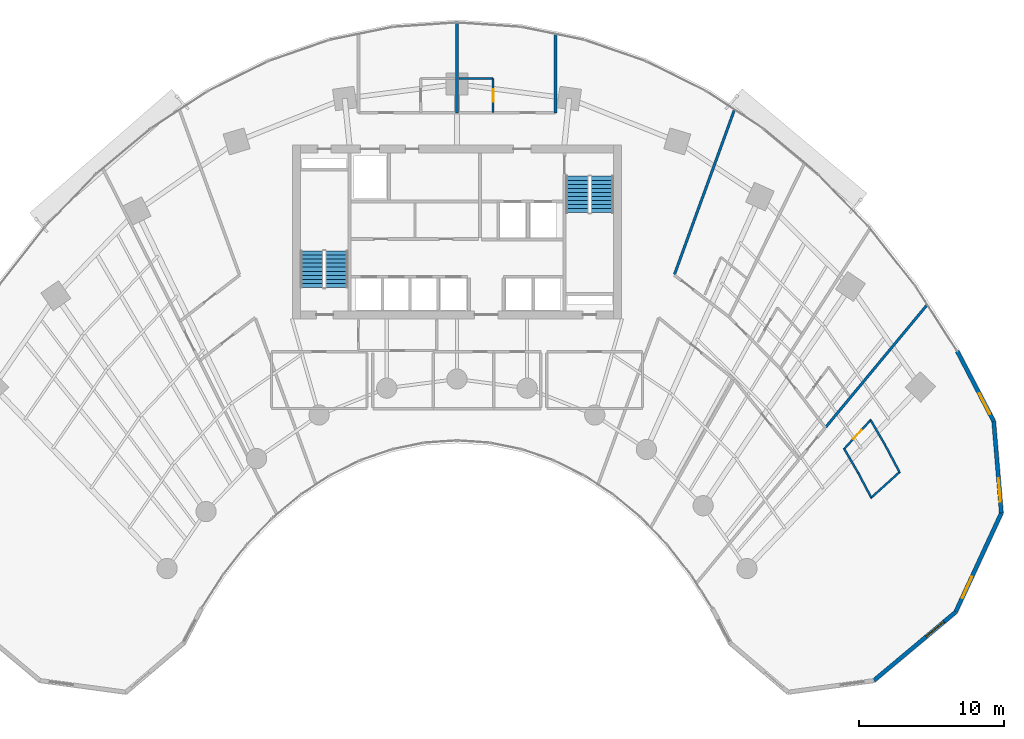
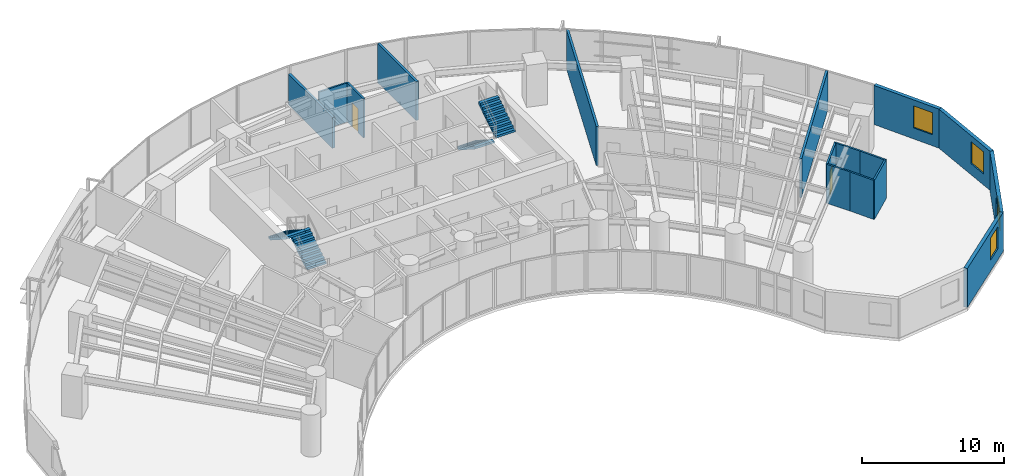
# One storey, part 14 of 17: 16 walls, 4 stair flights, 4 windows, 2 doors, 6 openings, 2 elements without a shape of their own.
"""IFC4 building model written with IfcOpenShell, lengths in metres."""

import ifcopenshell
import ifcopenshell.guid

model = None  # the IFC model being written
_history = None  # IfcOwnerHistory: only IFC2X3 demands one
_inside = {}  # id of a spatial element -> (the spatial element, [elements in it])
_under = {}  # id of a project, library or spatial element -> (it, [spatial elements below it])
_declared = {}  # id of a project -> (the project, [libraries it declares])
_typed = {}  # id of a type object -> (the type object, [elements of that type])
_made_of = {}  # id of a material, layer set ... -> (it, [elements and type objects made of it])


def new_model(schema):
    """Start an empty IFC model of exactly this schema.

    Asked for "IFC4X3", IfcOpenShell would pick the latest addendum, in which some entities
    have other attributes; the version numbers below select the first issue.
    IFC2X3 requires an IfcOwnerHistory on every rooted entity: one is made here for all.
    """
    global model, _history
    if schema == "IFC4X3":
        model = ifcopenshell.file(schema_version=(4, 3, 0, 0))
    else:
        model = ifcopenshell.file(schema=schema)
    _inside.clear()
    _under.clear()
    _declared.clear()
    _typed.clear()
    _made_of.clear()
    _history = None
    if model.schema == "IFC2X3":
        org = make("IfcOrganization", Name="unknown")
        user = make(
            "IfcPersonAndOrganization",
            ThePerson=make("IfcPerson", FamilyName="unknown"),
            TheOrganization=org,
        )
        app = make(
            "IfcApplication",
            ApplicationDeveloper=org,
            Version="unknown",
            ApplicationFullName="unknown",
            ApplicationIdentifier="unknown",
        )
        _history = make(
            "IfcOwnerHistory",
            OwningUser=user,
            OwningApplication=app,
            ChangeAction="ADDED",
            CreationDate=0,
        )
    return model


def make(cls, **values):
    """One entity of the class cls with the attributes given. An attribute that is None is left unset."""
    return model.create_entity(
        cls, **{name: value for name, value in values.items() if value is not None}
    )


def rooted(cls, **values):
    """An entity with a GlobalId (a new one), such as an element, a storey or a relation."""
    return make(cls, GlobalId=ifcopenshell.guid.new(), OwnerHistory=_history, **values)


def si_unit(unit_type, name, prefix=None):
    """IfcSIUnit, for example si_unit("LENGTHUNIT", "METRE", prefix="MILLI")."""
    return make("IfcSIUnit", UnitType=unit_type, Prefix=prefix, Name=name)


def assignment(units):
    """IfcUnitAssignment: the units of a project."""
    return None if units is None else make("IfcUnitAssignment", Units=units)


def point(xyz):
    """IfcCartesianPoint."""
    return None if xyz is None else make("IfcCartesianPoint", Coordinates=xyz)


def direction(xyz):
    """IfcDirection."""
    return None if xyz is None else make("IfcDirection", DirectionRatios=xyz)


def frame(location, z_axis=None, x_axis=None):
    """IfcAxis2Placement3D, a coordinate frame: its origin and axes. An axis left out is left unset."""
    return make(
        "IfcAxis2Placement3D",
        Location=point(location),
        Axis=direction(z_axis),
        RefDirection=direction(x_axis),
    )


def frame_2d(location, x_axis=None):
    """IfcAxis2Placement2D, a coordinate frame in the plane: its origin and x axis."""
    return make(
        "IfcAxis2Placement2D", Location=point(location), RefDirection=direction(x_axis)
    )


def origin():
    """The frame at (0, 0, 0) with its axes left unset."""
    return frame((0.0, 0.0, 0.0))


def place(relative_to, where):
    """IfcLocalPlacement: puts the frame where relative to a parent placement (None: the world)."""
    return make(
        "IfcLocalPlacement", PlacementRelTo=relative_to, RelativePlacement=where
    )


def context(
    kind, dimensions, precision=None, world=None, true_north=None, identifier=None
):
    """IfcGeometricRepresentationContext, for example the 3D "Model" context."""
    return make(
        "IfcGeometricRepresentationContext",
        ContextIdentifier=identifier,
        ContextType=kind,
        CoordinateSpaceDimension=dimensions,
        Precision=precision,
        WorldCoordinateSystem=world,
        TrueNorth=true_north,
    )


def subcontext(parent, identifier, kind, view, scale=None):
    """IfcGeometricRepresentationSubContext, for example "Body" below "Model"."""
    return make(
        "IfcGeometricRepresentationSubContext",
        ContextIdentifier=identifier,
        ContextType=kind,
        ParentContext=parent,
        TargetScale=scale,
        TargetView=view,
    )


def project(units=None, contexts=None):
    """IfcProject with its units and contexts."""
    return rooted(
        "IfcProject",
        Name="project",
        RepresentationContexts=contexts,
        UnitsInContext=assignment(units),
    )


def spatial(cls, under=None, at=None, **own):
    """A site, building, storey or space (cls), placed at a placement, below another one or the project."""
    s = rooted(cls, ObjectPlacement=at, **own)
    if under is not None:
        _under.setdefault(under.id(), (under, []))[1].append(s)
    return s


def polyline(points):
    """IfcPolyline through the points."""
    return make("IfcPolyline", Points=[point(p) for p in points])


def profile(cls, at=None, kind="AREA", **sizes):
    """A parametric profile (cls). Its sizes go by their IFC names, for example OverallWidth=200.0."""
    return make(cls, ProfileType=kind, Position=at, **sizes)


def rectangle(**sizes):
    """IfcRectangleProfileDef."""
    return profile("IfcRectangleProfileDef", **sizes)


def outline(outer, holes=None, kind="AREA"):
    """IfcArbitraryClosedProfileDef: a profile drawn as a closed curve; with holes, ...WithVoids."""
    if holes is None:
        return make("IfcArbitraryClosedProfileDef", ProfileType=kind, OuterCurve=outer)
    return make(
        "IfcArbitraryProfileDefWithVoids",
        ProfileType=kind,
        OuterCurve=outer,
        InnerCurves=holes,
    )


def extrude(swept, where, along, depth):
    """IfcExtrudedAreaSolid: the profile swept, set in the frame where, extruded along a direction by depth."""
    return make(
        "IfcExtrudedAreaSolid",
        SweptArea=swept,
        Position=where,
        ExtrudedDirection=direction(along),
        Depth=depth,
    )


def shape(context_of_items, identifier, shape_type, items):
    """IfcShapeRepresentation: the items that make up one representation, for example the "Body"."""
    return make(
        "IfcShapeRepresentation",
        ContextOfItems=context_of_items,
        RepresentationIdentifier=identifier,
        RepresentationType=shape_type,
        Items=items,
    )


def source(mapping_origin, context_of_items, identifier, shape_type, items):
    """IfcRepresentationMap: a shape defined once, which mapped items show again and again."""
    return make(
        "IfcRepresentationMap",
        MappingOrigin=mapping_origin,
        MappedRepresentation=shape(context_of_items, identifier, shape_type, items),
    )


def transform(
    local_origin,
    x_axis=None,
    y_axis=None,
    z_axis=None,
    scale=None,
    scale2=None,
    scale3=None,
    uniform=True,
):
    """IfcCartesianTransformationOperator3D, or its non-uniform kind. x_axis, y_axis, z_axis: its Axis1, 2, 3."""
    if uniform:
        return make(
            "IfcCartesianTransformationOperator3D",
            Axis1=direction(x_axis),
            Axis2=direction(y_axis),
            LocalOrigin=point(local_origin),
            Scale=scale,
            Axis3=direction(z_axis),
        )
    return make(
        "IfcCartesianTransformationOperator3DnonUniform",
        Axis1=direction(x_axis),
        Axis2=direction(y_axis),
        LocalOrigin=point(local_origin),
        Scale=scale,
        Axis3=direction(z_axis),
        Scale2=scale2,
        Scale3=scale3,
    )


def mapped(mapping_source, mapping_target):
    """IfcMappedItem: shows the shape of a source again, moved by a transform."""
    return make(
        "IfcMappedItem", MappingSource=mapping_source, MappingTarget=mapping_target
    )


def material(Name=None, Category=None):
    """IfcMaterial."""
    return make("IfcMaterial", Name=Name, Category=Category)


def layer(
    of_material, thickness, ventilated=None, Name=None, Category=None, Priority=None
):
    """IfcMaterialLayer: one layer of a wall or slab, of a material (None: an air gap)."""
    return make(
        "IfcMaterialLayer",
        Material=of_material,
        LayerThickness=thickness,
        IsVentilated=ventilated,
        Name=Name,
        Category=Category,
        Priority=Priority,
    )


def layer_set(layers, Name=None):
    """IfcMaterialLayerSet."""
    return make("IfcMaterialLayerSet", MaterialLayers=layers, LayerSetName=Name)


def made_of(thing, what):
    """Note that an element or type object is made of a material, layer set ...; save() writes the relation."""
    if what is not None:
        _made_of.setdefault(what.id(), (what, []))[1].append(thing)
    return thing


def type_object(cls, material=None, **own):
    """A type object (cls), such as IfcWallType, which elements share."""
    return made_of(rooted(cls, **own), material)


def type_shapes(of_type, sources):
    """Give a type object the sources (RepresentationMaps) that its elements show as mapped items."""
    of_type.RepresentationMaps = sources


def element(
    cls,
    number,
    at=None,
    inside=None,
    cuts=None,
    type_object=None,
    material=None,
    context=None,
    identifier="Body",
    shape_type=None,
    held_by="IfcProductDefinitionShape",
    body=None,
    shapes=None,
    **own,
):
    """One element of the class cls, such as IfcWall. Its Tag is "e" and its number.

    at: its placement. inside: the storey or other place that contains it. cuts: it is an
    opening in that element (IfcRelVoidsElement). A single representation is given by context,
    identifier, shape_type and body (its items); several are given by shapes. held_by: the class
    of the entity that holds the representations. save() writes the other relations.
    """
    e = rooted(cls, Tag="e%d" % number, ObjectPlacement=at, **own)
    if body is not None:
        shapes = [shape(context, identifier, shape_type, body)]
    if shapes is not None:
        e.Representation = make(held_by, Representations=shapes)
    if inside is not None:
        _inside.setdefault(inside.id(), (inside, []))[1].append(e)
    if cuts is not None:
        rooted(
            "IfcRelVoidsElement", RelatingBuildingElement=cuts, RelatedOpeningElement=e
        )
    if type_object is not None:
        _typed.setdefault(type_object.id(), (type_object, []))[1].append(e)
    return made_of(e, material)


def fill(opening, filler):
    """IfcRelFillsElement: the door or window that sits in an opening."""
    return rooted(
        "IfcRelFillsElement",
        RelatingOpeningElement=opening,
        RelatedBuildingElement=filler,
    )


def aggregate(whole, parts):
    """IfcRelAggregates: a whole, such as a stair, and the parts it consists of."""
    return rooted("IfcRelAggregates", RelatingObject=whole, RelatedObjects=parts)


def save(model, path):
    """Write the relations noted so far, then the file.

    IfcRelAggregates (storeys below a building ...), IfcRelContainedInSpatialStructure (elements
    in a storey), IfcRelDefinesByType, IfcRelAssociatesMaterial and IfcRelDeclares: one each for
    every whole, place, type object, material and project.
    """
    for whole, parts in _under.values():
        aggregate(whole, parts)
    for where, things in _inside.values():
        rooted(
            "IfcRelContainedInSpatialStructure",
            RelatedElements=things,
            RelatingStructure=where,
        )
    for kind, things in _typed.values():
        rooted("IfcRelDefinesByType", RelatedObjects=things, RelatingType=kind)
    for what, things in _made_of.values():
        rooted("IfcRelAssociatesMaterial", RelatedObjects=things, RelatingMaterial=what)
    for by, libraries in _declared.values():
        rooted("IfcRelDeclares", RelatingContext=by, RelatedDefinitions=libraries)
    model.write(path)


model = new_model("IFC4")

# Units and contexts
model_context = context("Model", 3, precision=1e-05, world=origin(), true_north=direction((0.0, 1.0)))
body_context = subcontext(model_context, "Body", "Model", "MODEL_VIEW")
ifc_project = project(units=[si_unit("LENGTHUNIT", "METRE"), si_unit("AREAUNIT", "SQUARE_METRE"), si_unit("VOLUMEUNIT", "CUBIC_METRE"), si_unit("PLANEANGLEUNIT", "RADIAN"), si_unit("MASSUNIT", "GRAM", prefix="KILO")], contexts=[model_context])

# Site, building, storey
site_placement = place(None, origin())
site = spatial("IfcSite", under=ifc_project, at=site_placement, CompositionType="ELEMENT")
building_placement = place(site_placement, origin())
building = spatial("IfcBuilding", under=site, at=building_placement, Name="Breltana Convention Tower", CompositionType="ELEMENT")
storey_placement = place(building_placement, frame((0.0, 0.0, 57.0)))
storey = spatial("IfcBuildingStorey", under=building, at=storey_placement, Name="L12", CompositionType="ELEMENT", Elevation=57.0)

# Wall, opening, window
ifc_material_1 = material(Name="Limestone Buff Insulated Wall", Category="masonry")
ifc_layer_1 = layer(ifc_material_1, 0.280029296875, Name="Limestone Buff Insulated Wall")
ifc_layer_set_1 = layer_set([ifc_layer_1], Name="Limestone Buff Insulated Wall")
wall_type_1 = type_object("IfcWallType", Name="WL-EXT-NOSE-280", PredefinedType="SOLIDWALL", material=ifc_layer_set_1)
shared_shape_1 = source(origin(), body_context, "Body", "SweptSolid", [
    extrude(rectangle(XDim=6.3525390625, YDim=0.280029296875, at=frame_2d((3.17626953125, 0.0))), origin(), (0.0, 0.0, 1.0), 3.360107421875),
])
wall_1_placement = place(storey_placement, frame((85.052978515625, 53.1220703125, 0.0), z_axis=(0.0, 0.0, 1.0), x_axis=(0.083319001377, -0.996522926986, 0.0)))
wall_1 = element("IfcWall", 1, at=wall_1_placement, inside=storey, type_object=wall_type_1, Name="L12 curved limestone nose wall E1", PredefinedType="SOLIDWALL", context=body_context, shape_type="MappedRepresentation", body=[
    mapped(shared_shape_1, transform((0.0, 0.0, 0.0), scale=1.0)),
])
opening_1_placement = place(wall_1_placement, frame((3.96435546875, 0.0, 0.949951171875)))
opening_1 = element("IfcOpeningElement", 2, at=opening_1_placement, cuts=wall_1, Name="Opening W-04", PredefinedType="OPENING", context=body_context, shape_type="SweptSolid", body=[
    extrude(rectangle(XDim=1.60009765625, YDim=1.89990234375, at=frame_2d((0.800048828125, 0.949951171875))), frame((0.0, 0.14990234375, 0.0), z_axis=(0.0, -1.0, 0.0), x_axis=(1.0, 0.0, 0.0)), (0.0, 0.0, 1.0), 0.300048828125),
])
ifc_material_2 = material(Name="Glass Low-E Insulated Window", Category="glass")
window_type = type_object("IfcWindowType", Name="WN-NOSE-1600X1900", PartitioningType="SINGLE_PANEL", PredefinedType="WINDOW", material=ifc_material_2)
shared_shape_2 = source(origin(), body_context, "Body", "SweptSolid", [
    extrude(rectangle(XDim=1.60009765625, YDim=1.89990234375, at=frame_2d((0.800048828125, 0.949951171875))), frame((0.0, 0.030029296875, 0.0), z_axis=(0.0, -1.0, 0.0), x_axis=(1.0, 0.0, 0.0)), (0.0, 0.0, 1.0), 0.06005859375),
])
type_shapes(window_type, [shared_shape_2])
window_1_placement = place(opening_1_placement, origin())
window_1 = element("IfcWindow", 3, at=window_1_placement, inside=storey, type_object=window_type, Name="L12 nose window E1", OverallHeight=1.89990234375, OverallWidth=1.60009765625, PartitioningType="SINGLE_PANEL", PredefinedType="WINDOW", context=body_context, shape_type="MappedRepresentation", body=[
    mapped(shared_shape_2, transform((0.0, 0.0, 0.0), scale=1.0)),
])
fill(opening_1, window_1)

shared_shape_3 = source(origin(), body_context, "Body", "SweptSolid", [
    extrude(rectangle(XDim=7.536376953125, YDim=0.280029296875, at=frame_2d((3.76806640625, 0.0))), origin(), (0.0, 0.0, 1.0), 3.360107421875),
])
wall_2_placement = place(storey_placement, frame((85.582275390625, 46.79150390625, 0.0), z_axis=(0.0, 0.0, 1.0), x_axis=(-0.41964973873, -0.907686122393, 0.0)))
wall_2 = element("IfcWall", 4, at=wall_2_placement, inside=storey, type_object=wall_type_1, Name="L12 curved limestone nose wall E2", PredefinedType="SOLIDWALL", context=body_context, shape_type="MappedRepresentation", body=[
    mapped(shared_shape_3, transform((0.0, 0.0, 0.0), scale=1.0)),
])
opening_2_placement = place(wall_2_placement, frame((4.852294921875, 0.0, 0.949951171875)))
opening_2 = element("IfcOpeningElement", 5, at=opening_2_placement, cuts=wall_2, Name="Opening W-04", PredefinedType="OPENING", context=body_context, shape_type="SweptSolid", body=[
    extrude(rectangle(XDim=1.60009765625, YDim=1.89990234375, at=frame_2d((0.800048828125, 0.949951171875))), frame((0.0, 0.14990234375, 0.0), z_axis=(0.0, -1.0, 0.0), x_axis=(1.0, 0.0, 0.0)), (0.0, 0.0, 1.0), 0.300048828125),
])
window_2_placement = place(opening_2_placement, origin())
window_2 = element("IfcWindow", 6, at=window_2_placement, inside=storey, type_object=window_type, Name="L12 nose window E2", OverallHeight=1.89990234375, OverallWidth=1.60009765625, PartitioningType="SINGLE_PANEL", PredefinedType="WINDOW", context=body_context, shape_type="MappedRepresentation", body=[
    mapped(shared_shape_2, transform((0.0, 0.0, 0.0), scale=1.0)),
])
fill(opening_2, window_2)

shared_shape_4 = source(origin(), body_context, "Body", "SweptSolid", [
    extrude(rectangle(XDim=7.35888671875, YDim=0.280029296875, at=frame_2d((3.679443359375, 0.0))), origin(), (0.0, 0.0, 1.0), 3.360107421875),
])
wall_3_placement = place(storey_placement, frame((82.419677734375, 39.950927734375, 0.0), z_axis=(0.0, 0.0, 1.0), x_axis=(-0.766737165543, -0.641961150675, 0.0)))
wall_3 = element("IfcWall", 7, at=wall_3_placement, inside=storey, type_object=wall_type_1, Name="L12 curved limestone nose wall E3", PredefinedType="SOLIDWALL", context=body_context, shape_type="MappedRepresentation", body=[
    mapped(shared_shape_4, transform((0.0, 0.0, 0.0), scale=1.0)),
])
opening_3_placement = place(wall_3_placement, frame((1.039794921875, 0.0, 0.949951171875)))
opening_3 = element("IfcOpeningElement", 8, at=opening_3_placement, cuts=wall_3, Name="Opening W-04", PredefinedType="OPENING", context=body_context, shape_type="SweptSolid", body=[
    extrude(rectangle(XDim=1.60009765625, YDim=1.89990234375, at=frame_2d((0.800048828125, 0.949951171875))), frame((0.0, 0.14990234375, 0.0), z_axis=(0.0, -1.0, 0.0), x_axis=(1.0, 0.0, 0.0)), (0.0, 0.0, 1.0), 0.300048828125),
])
window_3_placement = place(opening_3_placement, origin())
window_3 = element("IfcWindow", 9, at=window_3_placement, inside=storey, type_object=window_type, Name="L12 nose window E3", OverallHeight=1.89990234375, OverallWidth=1.60009765625, PartitioningType="SINGLE_PANEL", PredefinedType="WINDOW", context=body_context, shape_type="MappedRepresentation", body=[
    mapped(shared_shape_2, transform((0.0, 0.0, 0.0), scale=1.0)),
])
fill(opening_3, window_3)

shared_shape_5 = source(origin(), body_context, "Body", "SweptSolid", [
    extrude(rectangle(XDim=5.45947265625, YDim=0.280029296875, at=frame_2d((2.729736328125, 0.0))), origin(), (0.0, 0.0, 1.0), 3.360107421875),
])
wall_4_placement = place(storey_placement, frame((82.531982421875, 57.964599609375, 0.0), z_axis=(0.0, 0.0, 1.0), x_axis=(0.461768054321, -0.887000712518, 0.0)))
wall_4 = element("IfcWall", 10, at=wall_4_placement, inside=storey, type_object=wall_type_1, Name="L12 curved limestone nose wall E7", PredefinedType="SOLIDWALL", context=body_context, shape_type="MappedRepresentation", body=[
    mapped(shared_shape_5, transform((0.0, 0.0, 0.0), scale=1.0)),
])
opening_4_placement = place(wall_4_placement, frame((3.294677734375, 0.0, 0.949951171875)))
opening_4 = element("IfcOpeningElement", 11, at=opening_4_placement, cuts=wall_4, Name="Opening W-04", PredefinedType="OPENING", context=body_context, shape_type="SweptSolid", body=[
    extrude(rectangle(XDim=1.60009765625, YDim=1.89990234375, at=frame_2d((0.800048828125, 0.949951171875))), frame((0.0, 0.14990234375, 0.0), z_axis=(0.0, -1.0, 0.0), x_axis=(1.0, 0.0, 0.0)), (0.0, 0.0, 1.0), 0.300048828125),
])
window_4_placement = place(opening_4_placement, origin())
window_4 = element("IfcWindow", 12, at=window_4_placement, inside=storey, type_object=window_type, Name="L12 nose window E7", OverallHeight=1.89990234375, OverallWidth=1.60009765625, PartitioningType="SINGLE_PANEL", PredefinedType="WINDOW", context=body_context, shape_type="MappedRepresentation", body=[
    mapped(shared_shape_2, transform((0.0, 0.0, 0.0), scale=1.0)),
])
fill(opening_4, window_4)

# Walls
ifc_material_3 = material(Name="Gypsum Acoustic Hotel Wall")
ifc_layer_2 = layer(ifc_material_3, 0.195068359375, Name="Gypsum Acoustic Hotel Wall")
ifc_layer_set_2 = layer_set([ifc_layer_2], Name="Gypsum Acoustic Hotel Wall")
wall_type_2 = type_object("IfcWallType", Name="WL-HOTEL-200", PredefinedType="PARTITIONING", material=ifc_layer_set_2)
shared_shape_6 = source(origin(), body_context, "Body", "SweptSolid", [
    extrude(rectangle(XDim=6.215576171875, YDim=0.195068359375, at=frame_2d((3.10791015625, 0.0))), origin(), (0.0, 0.0, 1.0), 2.64404296875),
])
wall_5_placement = place(storey_placement, frame((48.0, 74.419921875, 0.0), z_axis=(0.0, 0.0, 1.0), x_axis=(0.0, 1.0, 0.0)))
element("IfcWall", 13, at=wall_5_placement, inside=storey, type_object=wall_type_2, Name="L12 interior partition W-L12-GRN-MID", PredefinedType="PARTITIONING", context=body_context, shape_type="MappedRepresentation", body=[
    mapped(shared_shape_6, transform((0.0, 0.0, 0.0), scale=1.0)),
])
shared_shape_7 = source(origin(), body_context, "Body", "SweptSolid", [
    extrude(rectangle(XDim=5.42626953125, YDim=0.195068359375, at=frame_2d((2.713134765625, 0.0))), origin(), (0.0, 0.0, 1.0), 3.360107421875),
])
wall_6_placement = place(storey_placement, frame((54.800048828125, 74.419921875, 0.0), z_axis=(0.0, 0.0, 1.0), x_axis=(0.0, 1.0, 0.0)))
element("IfcWall", 14, at=wall_6_placement, inside=storey, type_object=wall_type_2, Name="L12 interior partition W-L12-GRN2-SD", PredefinedType="PARTITIONING", context=body_context, shape_type="MappedRepresentation", body=[
    mapped(shared_shape_7, transform((0.0, 0.0, 0.0), scale=1.0)),
])
ifc_material_4 = material(Name="Moisture-Resistant En-Suite Partition")
ifc_layer_3 = layer(ifc_material_4, 0.139892578125, Name="Moisture-Resistant En-Suite Partition")
ifc_layer_set_3 = layer_set([ifc_layer_3], Name="Moisture-Resistant En-Suite Partition")
wall_type_3 = type_object("IfcWallType", Name="WL-WET-150", PredefinedType="PARTITIONING", material=ifc_layer_set_3)
shared_shape_8 = source(origin(), body_context, "Body", "SweptSolid", [
    extrude(rectangle(XDim=2.35009765625, YDim=0.139892578125, at=frame_2d((1.175048828125, 0.0))), origin(), (0.0, 0.0, 1.0), 3.360107421875),
])
type_shapes(wall_type_3, [shared_shape_8])
wall_7_placement = place(storey_placement, frame((48.14990234375, 76.780029296875, 0.0), z_axis=(0.0, 0.0, 1.0), x_axis=(1.0, 0.0, 0.0)))
element("IfcWall", 15, at=wall_7_placement, inside=storey, type_object=wall_type_3, Name="L12 interior partition W-L12-ENSN2-N", PredefinedType="PARTITIONING", context=body_context, shape_type="MappedRepresentation", body=[
    mapped(shared_shape_8, transform((0.0, 0.0, 0.0), scale=1.0)),
])

# Wall, opening, door
shared_shape_9 = source(origin(), body_context, "Body", "SweptSolid", [
    extrude(rectangle(XDim=2.330078125, YDim=0.139892578125, at=frame_2d((1.1650390625, 0.0))), origin(), (0.0, 0.0, 1.0), 3.360107421875),
])
wall_8_placement = place(storey_placement, frame((50.5, 74.449951171875, 0.0), z_axis=(0.0, 0.0, 1.0), x_axis=(0.0, 1.0, 0.0)))
wall_8 = element("IfcWall", 16, at=wall_8_placement, inside=storey, type_object=wall_type_3, Name="L12 interior partition W-L12-ENSN2-SD", PredefinedType="PARTITIONING", context=body_context, shape_type="MappedRepresentation", body=[
    mapped(shared_shape_9, transform((0.0, 0.0, 0.0), scale=1.0)),
])
opening_5_placement = place(wall_8_placement, frame((0.739990234375, 0.0, 0.0)))
opening_5 = element("IfcOpeningElement", 17, at=opening_5_placement, cuts=wall_8, Name="Opening D-21", PredefinedType="OPENING", context=body_context, shape_type="SweptSolid", body=[
    extrude(rectangle(XDim=0.85009765625, YDim=2.050048828125, at=frame_2d((0.425048828125, 1.02490234375))), frame((0.0, 0.080078125, 0.0), z_axis=(0.0, -1.0, 0.0), x_axis=(1.0, 0.0, 0.0)), (0.0, 0.0, 1.0), 0.159912109375),
])
ifc_material_5 = material(Name="Timber Moisture-Resistant En-Suite Door", Category="wood")
door_type = type_object("IfcDoorType", Name="DR-WET-850", OperationType="NOTDEFINED", PredefinedType="DOOR", material=ifc_material_5)
shared_shape_10 = source(origin(), body_context, "Body", "SweptSolid", [
    extrude(rectangle(XDim=0.85009765625, YDim=2.050048828125, at=frame_2d((0.425048828125, 1.02490234375))), frame((0.0, 0.02490234375, 0.0), z_axis=(0.0, -1.0, 0.0), x_axis=(1.0, 0.0, 0.0)), (0.0, 0.0, 1.0), 0.050048828125),
])
type_shapes(door_type, [shared_shape_10])
door_1_placement = place(opening_5_placement, origin())
door_1 = element("IfcDoor", 18, at=door_1_placement, inside=storey, type_object=door_type, Name="L12 interior door D-L12-ENSN2", OperationType="SINGLE_SWING_RIGHT", OverallHeight=2.050048828125, OverallWidth=0.85009765625, PredefinedType="DOOR", context=body_context, shape_type="MappedRepresentation", body=[
    mapped(shared_shape_10, transform((0.0, 0.0, 0.0), scale=1.0)),
])
fill(opening_5, door_1)

shared_shape_11 = source(origin(), body_context, "Body", "SweptSolid", [
    extrude(rectangle(XDim=2.812255859375, YDim=0.139892578125, at=frame_2d((1.40625, 0.0))), origin(), (0.0, 0.0, 1.0), 3.360107421875),
])
wall_9_placement = place(storey_placement, frame((74.69677734375, 51.176513671875, 0.0), z_axis=(0.0, 0.0, 1.0), x_axis=(0.675119025852, 0.737708818527, 0.0)))
wall_9 = element("IfcWall", 19, at=wall_9_placement, inside=storey, type_object=wall_type_3, Name="L12 interior partition W-L12-CSENS-E-W", PredefinedType="PARTITIONING", context=body_context, shape_type="MappedRepresentation", body=[
    mapped(shared_shape_11, transform((0.0, 0.0, 0.0), scale=1.0)),
])
opening_6_placement = place(wall_9_placement, frame((0.981201171875, 0.0, 0.0)))
opening_6 = element("IfcOpeningElement", 20, at=opening_6_placement, cuts=wall_9, Name="Opening D-21", PredefinedType="OPENING", context=body_context, shape_type="SweptSolid", body=[
    extrude(rectangle(XDim=0.85009765625, YDim=2.050048828125, at=frame_2d((0.425048828125, 1.02490234375))), frame((0.0, 0.080078125, 0.0), z_axis=(0.0, -1.0, 0.0), x_axis=(1.0, 0.0, 0.0)), (0.0, 0.0, 1.0), 0.159912109375),
])
door_2_placement = place(opening_6_placement, origin())
door_2 = element("IfcDoor", 21, at=door_2_placement, inside=storey, type_object=door_type, Name="L12 interior door D-L12-CSENS-E", OperationType="SINGLE_SWING_LEFT", OverallHeight=2.050048828125, OverallWidth=0.85009765625, PredefinedType="DOOR", context=body_context, shape_type="MappedRepresentation", body=[
    mapped(shared_shape_10, transform((0.0, 0.0, 0.0), scale=1.0)),
])
fill(opening_6, door_2)

# Walls
shared_shape_12 = source(origin(), body_context, "Body", "SweptSolid", [
    extrude(rectangle(XDim=2.738037109375, YDim=0.139892578125, at=frame_2d((1.369140625, 0.0))), origin(), (0.0, 0.0, 1.0), 3.360107421875),
])
wall_10_placement = place(storey_placement, frame((76.560302734375, 47.81396484375, 0.0), z_axis=(0.0, 0.0, 1.0), x_axis=(0.741873676582, 0.670539669218, 0.0)))
element("IfcWall", 22, at=wall_10_placement, inside=storey, type_object=wall_type_3, Name="L12 interior partition W-L12-CSENS-E-F", PredefinedType="PARTITIONING", context=body_context, shape_type="MappedRepresentation", body=[
    mapped(shared_shape_12, transform((0.0, 0.0, 0.0), scale=1.0)),
])
shared_shape_13 = source(origin(), body_context, "Body", "SweptSolid", [
    extrude(rectangle(XDim=1.936279296875, YDim=0.139892578125, at=frame_2d((0.96826171875, 0.0))), origin(), (0.0, 0.0, 1.0), 3.360107421875),
])
wall_11_placement = place(storey_placement, frame((75.697265625, 49.5634765625, 0.0), z_axis=(0.0, 0.0, 1.0), x_axis=(0.467174971862, -0.884164886017, 0.0)))
element("IfcWall", 23, at=wall_11_placement, inside=storey, type_object=wall_type_3, Name="L12 interior partition W-L12-CSENS-E-B1B", PredefinedType="PARTITIONING", context=body_context, shape_type="MappedRepresentation", body=[
    mapped(shared_shape_13, transform((0.0, 0.0, 0.0), scale=1.0)),
])
shared_shape_14 = source(origin(), body_context, "Body", "SweptSolid", [
    extrude(rectangle(XDim=2.068115234375, YDim=0.139892578125, at=frame_2d((1.0341796875, 0.0))), origin(), (0.0, 0.0, 1.0), 3.360107421875),
])
wall_12_placement = place(storey_placement, frame((77.583740234375, 51.44091796875, 0.0), z_axis=(0.0, 0.0, 1.0), x_axis=(0.467215057643, -0.884143704333, 0.0)))
element("IfcWall", 24, at=wall_12_placement, inside=storey, type_object=wall_type_3, Name="L12 interior partition W-L12-CSENS-E-B2B", PredefinedType="PARTITIONING", context=body_context, shape_type="MappedRepresentation", body=[
    mapped(shared_shape_14, transform((0.0, 0.0, 0.0), scale=1.0)),
])
shared_shape_15 = source(origin(), body_context, "Body", "SweptSolid", [
    extrude(rectangle(XDim=1.914306640625, YDim=0.139892578125, at=frame_2d((0.95703125, 0.0))), origin(), (0.0, 0.0, 1.0), 3.360107421875),
])
wall_13_placement = place(storey_placement, frame((74.735595703125, 51.21875, 0.0), z_axis=(0.0, 0.0, 1.0), x_axis=(0.502347790612, -0.864665656347, 0.0)))
element("IfcWall", 25, at=wall_13_placement, inside=storey, type_object=wall_type_3, Name="L12 interior partition W-L12-CSENS-E-B1A", PredefinedType="PARTITIONING", context=body_context, shape_type="MappedRepresentation", body=[
    mapped(shared_shape_15, transform((0.0, 0.0, 0.0), scale=1.0)),
])
shared_shape_16 = source(origin(), body_context, "Body", "SweptSolid", [
    extrude(rectangle(XDim=2.044677734375, YDim=0.139892578125, at=frame_2d((1.0224609375, 0.0))), origin(), (0.0, 0.0, 1.0), 3.360107421875),
])
wall_14_placement = place(storey_placement, frame((76.556640625, 53.208984375, 0.0), z_axis=(0.0, 0.0, 1.0), x_axis=(0.5023112139, -0.864686905411, 0.0)))
element("IfcWall", 26, at=wall_14_placement, inside=storey, type_object=wall_type_3, Name="L12 interior partition W-L12-CSENS-E-B2A", PredefinedType="PARTITIONING", context=body_context, shape_type="MappedRepresentation", body=[
    mapped(shared_shape_16, transform((0.0, 0.0, 0.0), scale=1.0)),
])
ifc_material_6 = material(Name="Moisture-Resistant Gypsum Chase Wall")
ifc_layer_4 = layer(ifc_material_6, 0.179931640625, Name="Moisture-Resistant Gypsum Chase Wall")
ifc_layer_set_4 = layer_set([ifc_layer_4], Name="Moisture-Resistant Gypsum Chase Wall")
wall_type_4 = type_object("IfcWallType", Name="WL-PLUMB-180", PredefinedType="PLUMBINGWALL", material=ifc_layer_set_4)
shared_shape_17 = source(origin(), body_context, "Body", "SweptSolid", [
    extrude(rectangle(XDim=12.088134765625, YDim=0.179931640625, at=frame_2d((6.0439453125, 0.0))), origin(), (0.0, 0.0, 1.0), 3.360107421875),
])
wall_15_placement = place(storey_placement, frame((63.0185546875, 63.26220703125, 0.0), z_axis=(0.0, 0.0, 1.0), x_axis=(0.34203007529, 0.939689005787, 0.0)))
element("IfcWall", 27, at=wall_15_placement, inside=storey, type_object=wall_type_4, Name="L12 interior partition W-L12-HE01-RA", PredefinedType="PLUMBINGWALL", context=body_context, shape_type="MappedRepresentation", body=[
    mapped(shared_shape_17, transform((0.0, 0.0, 0.0), scale=1.0)),
])
shared_shape_18 = source(origin(), body_context, "Body", "SweptSolid", [
    extrude(rectangle(XDim=10.974609375, YDim=0.179931640625, at=frame_2d((5.4873046875, 0.0))), origin(), (0.0, 0.0, 1.0), 3.360107421875),
])
wall_16_placement = place(storey_placement, frame((73.460205078125, 52.71875, 0.0), z_axis=(0.0, 0.0, 1.0), x_axis=(0.638125265812, 0.769932558821, 0.0)))
element("IfcWall", 28, at=wall_16_placement, inside=storey, type_object=wall_type_4, Name="L12 interior partition W-L12-HE03-RB", PredefinedType="PLUMBINGWALL", context=body_context, shape_type="MappedRepresentation", body=[
    mapped(shared_shape_18, transform((0.0, 0.0, 0.0), scale=1.0)),
])

# Stair, stair flights
ifc_material_7 = material(Name="Concrete C40/50", Category="concrete")
stair_type = type_object("IfcStairType", Name="ST-DOG-1560-R180", PredefinedType="HALF_TURN_STAIR", material=ifc_material_7)
stair_1_placement = place(storey_placement, origin())
stair_1 = element("IfcStair", 29, at=stair_1_placement, inside=storey, type_object=stair_type, Name="L12 Protected Core Exit Stair ST-1", PredefinedType="HALF_TURN_STAIR")
stair_flight_type = type_object("IfcStairFlightType", Name="STF-DOG-1560-N10-R180", PredefinedType="STRAIGHT", material=ifc_material_7)
stair_flight_1_placement = place(storey_placement, frame((39.68994140625, 62.360107421875, 0.0), z_axis=(0.0, 0.0, 1.0), x_axis=(0.0, 1.0, 0.0)))
stair_flight_1 = element("IfcStairFlight", 30, at=stair_flight_1_placement, type_object=stair_flight_type, Name="ST-1 flight 1", NumberOfRisers=10, NumberOfTreads=9, PredefinedType="STRAIGHT", RiserHeight=0.18, TreadLength=0.28, context=body_context, shape_type="SweptSolid", body=[
    extrude(outline(polyline([(0.0, 0.0), (0.0, 0.179931640625), (0.280029296875, 0.179931640625), (0.280029296875, 0.360107421875), (0.56005859375, 0.360107421875), (0.56005859375, 0.5400390625), (0.840087890625, 0.5400390625), (0.840087890625, 0.719970703125), (1.1201171875, 0.719970703125), (1.1201171875, 0.89990234375), (1.39990234375, 0.89990234375), (1.39990234375, 1.080078125), (1.679931640625, 1.080078125), (1.679931640625, 1.260009765625), (1.9599609375, 1.260009765625), (1.9599609375, 1.43994140625), (2.239990234375, 1.43994140625), (2.239990234375, 1.6201171875), (2.52001953125, 1.6201171875), (2.52001953125, 1.800048828125), (2.52001953125, 1.44189453125), (0.277099609375, 0.0), (0.0, 0.0)])), frame((0.0, 0.780029296875, 0.0), z_axis=(0.0, -1.0, 0.0), x_axis=(1.0, 0.0, 0.0)), (0.0, 0.0, 1.0), 1.56005859375),
])
stair_flight_2_placement = place(storey_placement, frame((37.97998046875, 64.8798828125, 1.800048828125), z_axis=(0.0, 0.0, 1.0), x_axis=(0.0, -1.0, 0.0)))
stair_flight_2 = element("IfcStairFlight", 31, at=stair_flight_2_placement, type_object=stair_flight_type, Name="ST-1 flight 2", NumberOfRisers=10, NumberOfTreads=9, PredefinedType="STRAIGHT", RiserHeight=0.18, TreadLength=0.28, context=body_context, shape_type="SweptSolid", body=[
    extrude(outline(polyline([(0.0, 0.0), (0.0, 0.179931640625), (0.280029296875, 0.179931640625), (0.280029296875, 0.360107421875), (0.56005859375, 0.360107421875), (0.56005859375, 0.5400390625), (0.840087890625, 0.5400390625), (0.840087890625, 0.719970703125), (1.1201171875, 0.719970703125), (1.1201171875, 0.89990234375), (1.39990234375, 0.89990234375), (1.39990234375, 1.080078125), (1.679931640625, 1.080078125), (1.679931640625, 1.260009765625), (1.9599609375, 1.260009765625), (1.9599609375, 1.43994140625), (2.239990234375, 1.43994140625), (2.239990234375, 1.6201171875), (2.52001953125, 1.6201171875), (2.52001953125, 1.800048828125), (2.52001953125, 1.44189453125), (0.277099609375, 0.0), (0.0, 0.0)])), frame((0.0, 0.780029296875, 0.0), z_axis=(0.0, -1.0, 0.0), x_axis=(1.0, 0.0, 0.0)), (0.0, 0.0, 1.0), 1.56005859375),
])
aggregate(stair_1, [stair_flight_1, stair_flight_2])

stair_2_placement = place(storey_placement, origin())
stair_2 = element("IfcStair", 32, at=stair_2_placement, inside=storey, type_object=stair_type, Name="L12 Protected Core Exit Stair ST-2", PredefinedType="HALF_TURN_STAIR")
stair_flight_3_placement = place(storey_placement, frame((56.31005859375, 70.0400390625, 0.0), z_axis=(0.0, 0.0, 1.0), x_axis=(0.0, -1.0, 0.0)))
stair_flight_3 = element("IfcStairFlight", 33, at=stair_flight_3_placement, type_object=stair_flight_type, Name="ST-2 flight 1", NumberOfRisers=10, NumberOfTreads=9, PredefinedType="STRAIGHT", RiserHeight=0.18, TreadLength=0.28, context=body_context, shape_type="SweptSolid", body=[
    extrude(outline(polyline([(0.0, 0.0), (0.0, 0.179931640625), (0.280029296875, 0.179931640625), (0.280029296875, 0.360107421875), (0.56005859375, 0.360107421875), (0.56005859375, 0.5400390625), (0.840087890625, 0.5400390625), (0.840087890625, 0.719970703125), (1.1201171875, 0.719970703125), (1.1201171875, 0.89990234375), (1.39990234375, 0.89990234375), (1.39990234375, 1.080078125), (1.679931640625, 1.080078125), (1.679931640625, 1.260009765625), (1.9599609375, 1.260009765625), (1.9599609375, 1.43994140625), (2.239990234375, 1.43994140625), (2.239990234375, 1.6201171875), (2.52001953125, 1.6201171875), (2.52001953125, 1.800048828125), (2.52001953125, 1.44189453125), (0.277099609375, 0.0), (0.0, 0.0)])), frame((0.0, 0.780029296875, 0.0), z_axis=(0.0, -1.0, 0.0), x_axis=(1.0, 0.0, 0.0)), (0.0, 0.0, 1.0), 1.56005859375),
])
stair_flight_4_placement = place(storey_placement, frame((58.02001953125, 67.52001953125, 1.800048828125), z_axis=(0.0, 0.0, 1.0), x_axis=(0.0, 1.0, 0.0)))
stair_flight_4 = element("IfcStairFlight", 34, at=stair_flight_4_placement, type_object=stair_flight_type, Name="ST-2 flight 2", NumberOfRisers=10, NumberOfTreads=9, PredefinedType="STRAIGHT", RiserHeight=0.18, TreadLength=0.28, context=body_context, shape_type="SweptSolid", body=[
    extrude(outline(polyline([(0.0, 0.0), (0.0, 0.179931640625), (0.280029296875, 0.179931640625), (0.280029296875, 0.360107421875), (0.56005859375, 0.360107421875), (0.56005859375, 0.5400390625), (0.840087890625, 0.5400390625), (0.840087890625, 0.719970703125), (1.1201171875, 0.719970703125), (1.1201171875, 0.89990234375), (1.39990234375, 0.89990234375), (1.39990234375, 1.080078125), (1.679931640625, 1.080078125), (1.679931640625, 1.260009765625), (1.9599609375, 1.260009765625), (1.9599609375, 1.43994140625), (2.239990234375, 1.43994140625), (2.239990234375, 1.6201171875), (2.52001953125, 1.6201171875), (2.52001953125, 1.800048828125), (2.52001953125, 1.44189453125), (0.277099609375, 0.0), (0.0, 0.0)])), frame((0.0, 0.780029296875, 0.0), z_axis=(0.0, -1.0, 0.0), x_axis=(1.0, 0.0, 0.0)), (0.0, 0.0, 1.0), 1.56005859375),
])
aggregate(stair_2, [stair_flight_3, stair_flight_4])

save(model, "model.ifc")
